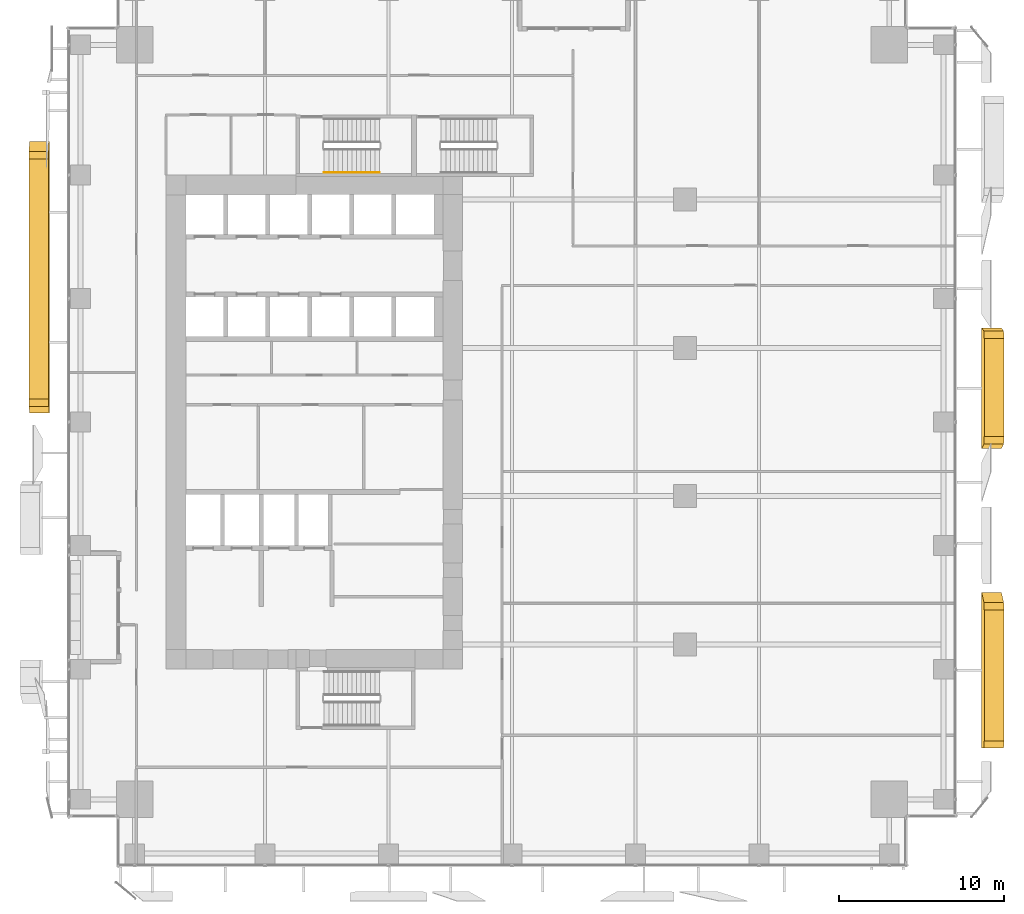
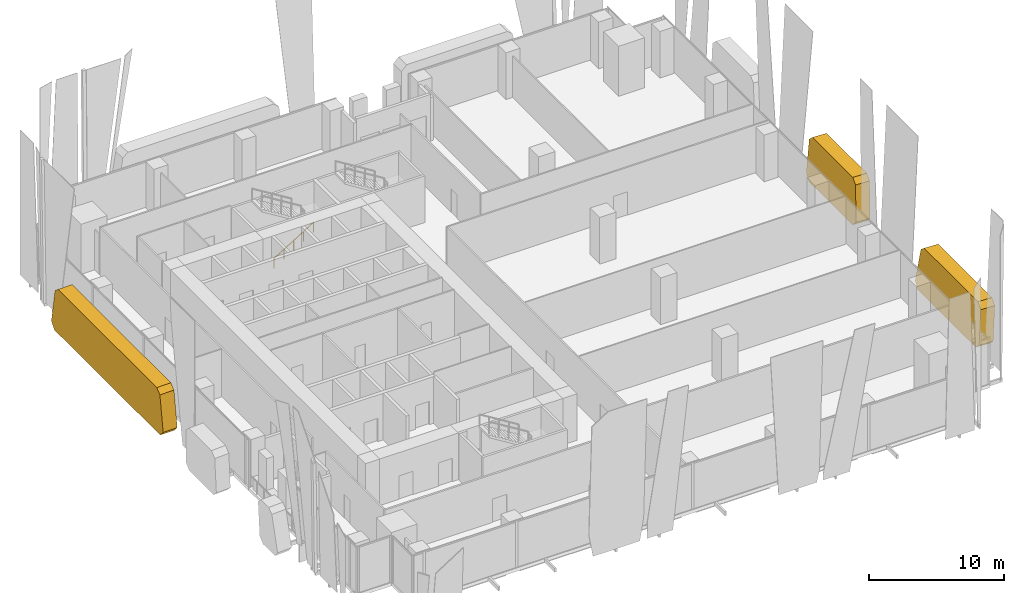
# One storey, part 33 of 36: 3 coverings, 1 railing.
"""IFC4 building model written with IfcOpenShell, lengths in metres."""

from ifc_helpers import new_model, si_unit, direction, frame, origin, origin_2d, place, context, subcontext, project, spatial, polyline, circle, outline, extrude, source, transform, mapped, material, layer, layer_set, type_object, element, save


model = new_model("IFC4")

# Units and contexts
model_context = context("Model", 3, precision=1e-05, world=origin(), true_north=direction((0.0, 1.0)))
body_context = subcontext(model_context, "Body", "Model", "MODEL_VIEW")
ifc_project = project(units=[si_unit("LENGTHUNIT", "METRE"), si_unit("AREAUNIT", "SQUARE_METRE"), si_unit("VOLUMEUNIT", "CUBIC_METRE"), si_unit("PLANEANGLEUNIT", "RADIAN"), si_unit("MASSUNIT", "GRAM", prefix="KILO")], contexts=[model_context])

# Site, building, storey
site_placement = place(None, origin())
site = spatial("IfcSite", under=ifc_project, at=site_placement, CompositionType="ELEMENT")
building_placement = place(site_placement, origin())
building = spatial("IfcBuilding", under=site, at=building_placement, Name="Khomas Fold Tower", CompositionType="ELEMENT")
storey_placement = place(building_placement, frame((0.0, 0.0, 46.5)))
storey = spatial("IfcBuildingStorey", under=building, at=storey_placement, Name="L09", CompositionType="ELEMENT", Elevation=46.5)

# Coverings
ifc_material_1 = material(Name="Natural stone cladding", Category="masonry")
ifc_layer = layer(ifc_material_1, 1.199951171875)
ifc_layer_set = layer_set([ifc_layer], Name="Natural stone cladding")
covering_type = type_object("IfcCoveringType", Name="SK-Karibib marble stone panel", PredefinedType="CLADDING", material=ifc_layer_set)
covering_1_placement = place(storey_placement, frame((55.652587890625, 16.0361328125, 3.6865234375), z_axis=(-0.999041252028, -1.2163376e-05, 0.043778723114), x_axis=(-0.04296702581, 0.191944340843, -0.980464790144)))
element("IfcCovering", 1, at=covering_1_placement, inside=storey, type_object=covering_type, Name="OUTER SKIN leaf L09 ES03-1", PredefinedType="CLADDING", context=body_context, shape_type="SweptSolid", body=[
    extrude(outline(polyline([(0.0, 0.0), (3.212906484808424, 2.220446049250313e-16), (3.6550399481480165, 0.5364910219217122), (2.0117508367389956, 8.938580290941719), (1.4833742846153288, 9.293716034861543), (-1.6111602751519114, 8.688483836682499), (-1.9668056650816734, 8.160450189276924), (-0.44188847871383585, 0.3635931184359626), (0.0, 0.0)])), origin(), (0.0, 0.0, -1.0), 1.199951171875),
])
covering_2_placement = place(storey_placement, frame((55.650146484375, 32.5146484375, 3.629638671875), z_axis=(-0.999041230128, -2.00771e-07, 0.043779224585), x_axis=(-0.043684954303, 0.065594091435, -0.996889682932)))
element("IfcCovering", 2, at=covering_2_placement, inside=storey, type_object=covering_type, Name="OUTER SKIN leaf L09 ES06-2", PredefinedType="CLADDING", context=body_context, shape_type="SweptSolid", body=[
    extrude(outline(polyline([(0.0, 0.0), (3.1599704496293315, 5.551115123125783e-17), (3.6094223820289053, 0.47973330027455285), (3.187112375870136, 6.904100271173626), (2.667575439701593, 7.319157777968401), (-0.4597869658670444, 6.82682818322332), (-0.839324547171062, 6.3526694192003985), (-0.44936318962026, 0.42040442703615283), (0.0, 0.0)])), origin(), (0.0, 0.0, -1.0), 1.199951171875),
])
covering_3_placement = place(storey_placement, frame((-1.083984375, 27.5400390625, 0.5078125), z_axis=(0.999913673123, -4.60207e-07, 0.013139493955), x_axis=(-0.013030747945, 0.128355478693, 0.991642612385)))
element("IfcCovering", 3, at=covering_3_placement, inside=storey, type_object=covering_type, Name="OUTER SKIN leaf L09 WS08-3", PredefinedType="CLADDING", context=body_context, shape_type="SweptSolid", body=[
    extrude(outline(polyline([(0.0, 0.0), (3.176450649794317, 0.0), (3.622856201273746, -0.392234943695012), (5.495260548776457, -14.859215689949782), (5.191397901353408, -15.343877530170083), (2.146228826805447, -16.360090912800494), (1.5575540777685255, -15.99094667308552), (-0.4463707638927586, -0.5077834664195225), (0.0, 0.0)])), origin(), (0.0, 0.0, -1.0), 1.199951171875),
])

# Railing
ifc_material_2 = material(Name="Steel handrail", Category="steel")
railing_type = type_object("IfcRailingType", Name="Stair handrail", PredefinedType="HANDRAIL", material=ifc_material_2)
shared_shape = source(origin(), body_context, "Body", "SweptSolid", [
    extrude(circle(Radius=0.02392578125, at=origin_2d()), frame((0.0, 0.0, 0.8759765625), z_axis=(0.850606129759, 0.0, 0.525803396734), x_axis=(0.0, 1.0, 0.0)), (0.0, 0.0, 1.0), 3.949951171875),
    extrude(circle(Radius=0.02099609375, at=origin_2d()), origin(), (0.0, 0.0, 1.0), 0.851806640625),
    extrude(circle(Radius=0.02099609375, at=origin_2d()), frame((0.83984375, 0.0, 0.519287109375)), (0.0, 0.0, 1.0), 0.851806640625),
    extrude(circle(Radius=0.02099609375, at=origin_2d()), frame((1.679931640625, 0.0, 1.03857421875)), (0.0, 0.0, 1.0), 0.851806640625),
    extrude(circle(Radius=0.02099609375, at=origin_2d()), frame((2.52001953125, 0.0, 1.5576171875)), (0.0, 0.0, 1.0), 0.851806640625),
    extrude(circle(Radius=0.02099609375, at=origin_2d()), frame((3.35986328125, 0.0, 2.076904296875)), (0.0, 0.0, 1.0), 0.851806640625),
])
railing_placement = place(storey_placement, frame((15.60009765625, 42.14990234375, 0.173095703125)))
element("IfcRailing", 4, at=railing_placement, inside=storey, type_object=railing_type, Name="L09 ST1 stair handrail 1", PredefinedType="HANDRAIL", context=body_context, shape_type="MappedRepresentation", body=[
    mapped(shared_shape, transform((0.0, 0.0, 0.0))),
])

save(model, "model.ifc")
